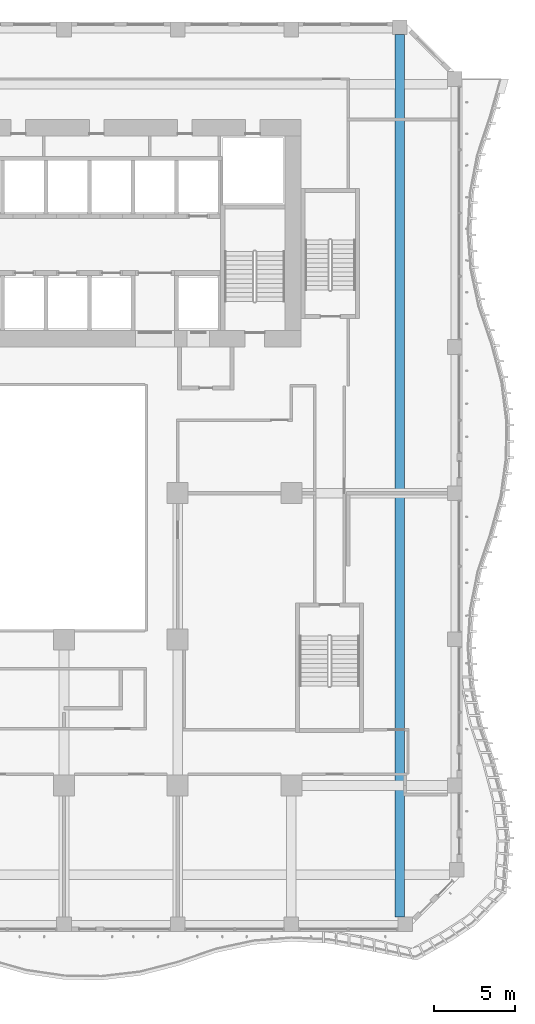
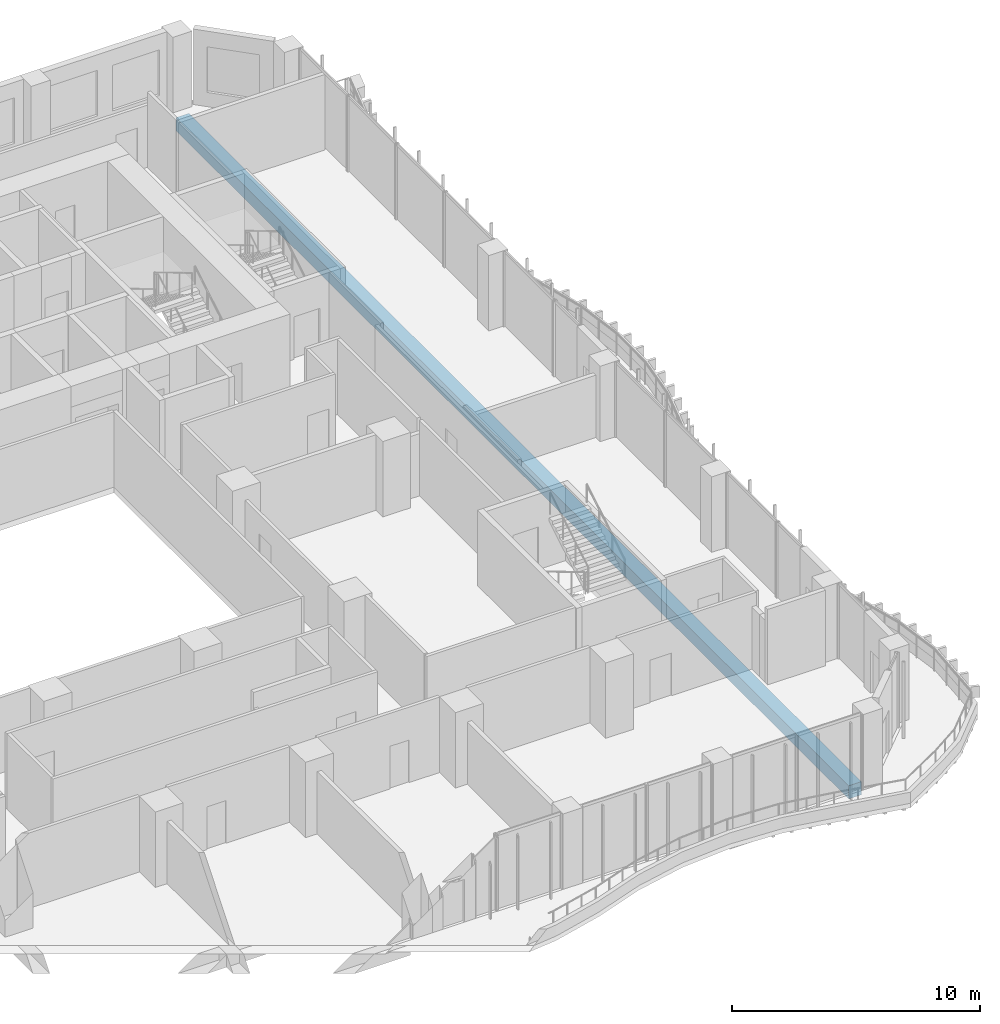
# One storey, part 7 of 27: 1 beam.
"""IFC4 building model written with IfcOpenShell, lengths in metres."""

from ifc_helpers import new_model, si_unit, direction, frame, origin, origin_2d, place, context, subcontext, project, spatial, rectangle, extrude, source, transform, mapped, material, material_profile, profile_set, type_object, element, save


model = new_model("IFC4")

# Units and contexts
model_context = context("Model", 3, precision=1e-05, world=origin(), true_north=direction((0.0, 1.0)))
body_context = subcontext(model_context, "Body", "Model", "MODEL_VIEW")
ifc_project = project(units=[si_unit("LENGTHUNIT", "METRE"), si_unit("AREAUNIT", "SQUARE_METRE"), si_unit("VOLUMEUNIT", "CUBIC_METRE"), si_unit("PLANEANGLEUNIT", "RADIAN"), si_unit("MASSUNIT", "GRAM", prefix="KILO")], contexts=[model_context])

# Site, building, storey
site_placement = place(None, origin())
site = spatial("IfcSite", under=ifc_project, at=site_placement, CompositionType="ELEMENT")
building_placement = place(site_placement, origin())
building = spatial("IfcBuilding", under=site, at=building_placement, Name="Kilnfold Tower and Market Hall", CompositionType="ELEMENT")
storey_placement = place(building_placement, frame((0.0, 0.0, 51.0)))
storey = spatial("IfcBuildingStorey", under=building, at=storey_placement, Name="L11", CompositionType="ELEMENT", Elevation=51.0)

# Beam
ifc_material = material(Name="Concrete C45", Category="concrete")
ifc_material_profile = material_profile(ifc_material, rectangle(XDim=0.60009765625, YDim=0.64990234375, at=origin_2d()), Name="RC 600x650")
ifc_profile_set = profile_set([ifc_material_profile], Name="Concrete C45")
beam_type = type_object("IfcBeamType", Name="BEAM 600X650 C45", PredefinedType="BEAM", material=ifc_profile_set)
shared_shape = source(origin(), body_context, "Body", "SweptSolid", [
    extrude(rectangle(XDim=0.60009765625, YDim=0.64990234375, at=origin_2d()), origin(), (0.0, 0.0, 1.0), 54.331787109375),
])
beam_placement = place(storey_placement, frame((24.179931640625, -27.10009765625, -0.60498046875), z_axis=(0.0, 1.0, 0.0), x_axis=(-1.0, 0.0, 0.0)))
element("IfcBeam", 1, at=beam_placement, inside=storey, type_object=beam_type, Name="Beam BB650-B1.57", PredefinedType="BEAM", context=body_context, shape_type="MappedRepresentation", body=[
    mapped(shared_shape, transform((0.0, 0.0, 0.0))),
])

save(model, "model.ifc")
